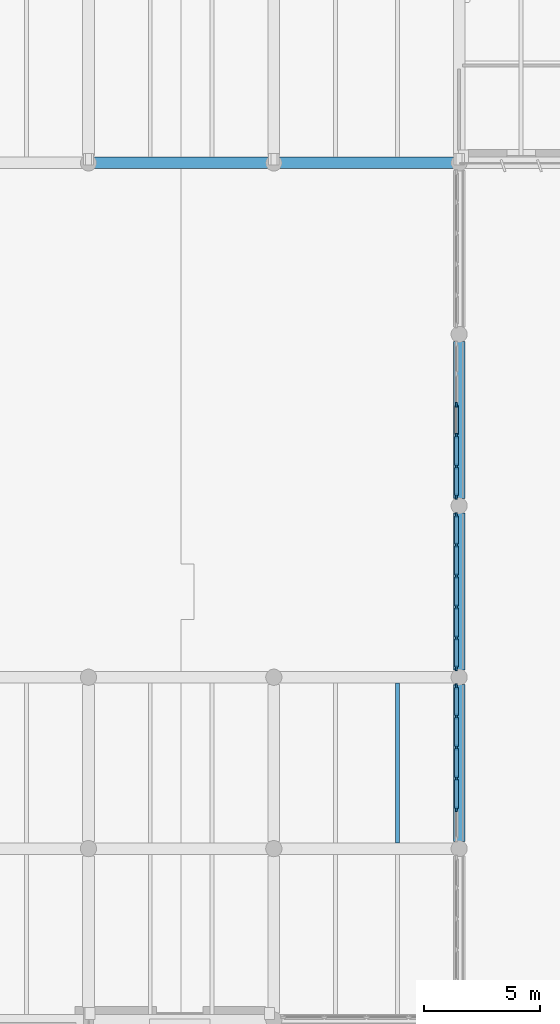
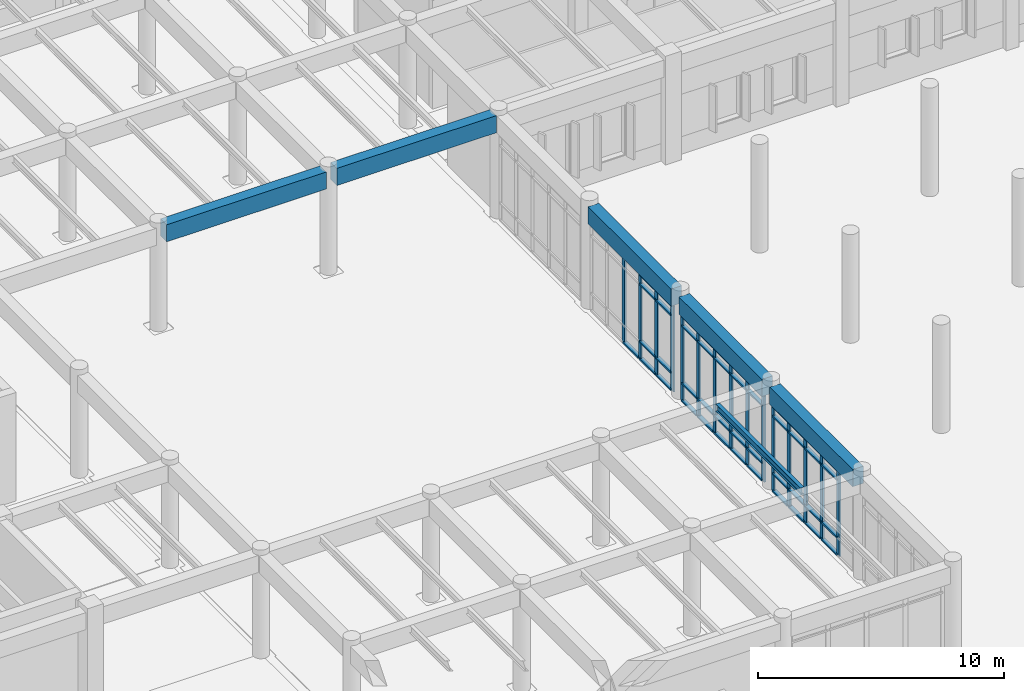
# One storey, part 5 of 56: 60 members, 6 beams, 3 elements without a shape of their own.
"""IFC4 building model written with IfcOpenShell, lengths in metres."""

from ifc_helpers import new_model, si_unit, direction, frame, origin, origin_2d, place, context, subcontext, project, spatial, rectangle, i_section, extrude, material, layer, layer_set, material_profile, profile_set, type_object, element, aggregate, save


model = new_model("IFC4")

# Units and contexts
model_context = context("Model", 3, precision=1e-05, world=origin(), true_north=direction((0.0, 1.0)))
body_context = subcontext(model_context, "Body", "Model", "MODEL_VIEW")
ifc_project = project(units=[si_unit("LENGTHUNIT", "METRE"), si_unit("AREAUNIT", "SQUARE_METRE"), si_unit("VOLUMEUNIT", "CUBIC_METRE"), si_unit("PLANEANGLEUNIT", "RADIAN"), si_unit("MASSUNIT", "GRAM", prefix="KILO")], contexts=[model_context])

# Site, building, storey
site_placement = place(None, origin())
site = spatial("IfcSite", under=ifc_project, at=site_placement, CompositionType="ELEMENT")
building_placement = place(site_placement, origin())
building = spatial("IfcBuilding", under=site, at=building_placement, Name="Valkorina Park Police Headquarters", CompositionType="ELEMENT")
storey_placement = place(building_placement, origin())
storey = spatial("IfcBuildingStorey", under=building, at=storey_placement, Name="L01", CompositionType="ELEMENT", Elevation=0.0)

# Beams
ifc_material_1 = material(Name="Concrete C40/50", Category="concrete")
ifc_material_profile_1 = material_profile(ifc_material_1, rectangle(XDim=0.5, YDim=0.85009765625, at=origin_2d()), Name="RC BEAM 500x850")
ifc_profile_set_1 = profile_set([ifc_material_profile_1], Name="Concrete C40/50")
beam_type_1 = type_object("IfcBeamType", Name="BM-RC-500x850-EXT", PredefinedType="SPANDREL", material=ifc_profile_set_1)
for number, where, z_axis, x_axis, name in (
    (1, (80.800048828125, 29.916259765625, 4.715087890625), (0.0, 1.0, 0.0), (-1.0, 0.0, 0.0), "L01 Framing Beam 1075"),
    (2, (80.800048828125, 37.316162109375, 4.715087890625), (0.0, 1.0, 0.0), (-1.0, 0.0, 0.0), "L01 Framing Beam 1076"),
    (3, (80.800048828125, 44.71630859375, 4.715087890625), (0.0, 1.0, 0.0), (-1.0, 0.0, 0.0), "L01 Framing Beam 1077"),
):
    element("IfcBeam", number, at=place(storey_placement, frame(where, z_axis=z_axis, x_axis=x_axis)), inside=storey, type_object=beam_type_1, Name=name, PredefinedType="SPANDREL", context=body_context, shape_type="SweptSolid", body=[
        extrude(rectangle(XDim=0.5, YDim=0.85009765625, at=origin_2d()), origin(), (0.0, 0.0, 1.0), 6.767578125),
    ])
ifc_material_profile_2 = material_profile(ifc_material_1, rectangle(XDim=0.5, YDim=0.85009765625, at=origin_2d()), Name="RC BEAM 500x850")
ifc_profile_set_2 = profile_set([ifc_material_profile_2], Name="Concrete C40/50")
beam_type_2 = type_object("IfcBeamType", Name="BM-RC-500x850-INT", PredefinedType="BEAM", material=ifc_profile_set_2)
for number, where, z_axis, x_axis, name in (
    (4, (65.044921875, 59.199951171875, 4.715087890625), (1.0, 0.0, 0.0), (0.0, 1.0, 0.0), "L01 Framing Beam 0770"),
    (5, (73.044921875, 59.199951171875, 4.715087890625), (1.0, 0.0, 0.0), (0.0, 1.0, 0.0), "L01 Framing Beam 0771"),
):
    element("IfcBeam", number, at=place(storey_placement, frame(where, z_axis=z_axis, x_axis=x_axis)), inside=storey, type_object=beam_type_2, Name=name, PredefinedType="BEAM", context=body_context, shape_type="SweptSolid", body=[
        extrude(rectangle(XDim=0.5, YDim=0.85009765625, at=origin_2d()), origin(), (0.0, 0.0, 1.0), 7.51025390625),
    ])
ifc_material_2 = material(Name="Steel S355", Category="steel")
ifc_material_profile_3 = material_profile(ifc_material_2, i_section(OverallWidth=0.169921875, OverallDepth=0.360107421875, WebThickness=0.008056640625, FlangeThickness=0.0126953125, FilletRadius=0.01806640625, at=origin_2d()), Name="IPE 360")
ifc_profile_set_3 = profile_set([ifc_material_profile_3], Name="Steel S355")
beam_type_3 = type_object("IfcBeamType", Name="BM-S355-IPE360-JST", PredefinedType="JOIST", material=ifc_profile_set_3)
beam_placement = place(storey_placement, frame((78.13330078125, 29.85009765625, 4.9599609375), z_axis=(0.0, 1.0, 0.0), x_axis=(-1.0, 0.0, 0.0)))
element("IfcBeam", 6, at=beam_placement, inside=storey, type_object=beam_type_3, Name="L01 Framing Beam 1064", PredefinedType="JOIST", context=body_context, shape_type="SweptSolid", body=[
    extrude(i_section(OverallWidth=0.169921875, OverallDepth=0.360107421875, WebThickness=0.008056640625, FlangeThickness=0.0126953125, FilletRadius=0.01806640625, at=origin_2d()), origin(), (0.0, 0.0, 1.0), 6.89990234375),
])

# Curtain wall, members
ifc_material_3 = material(Name="Thermally broken aluminium AW-6060", Category="aluminium")
ifc_layer = layer(ifc_material_3, 0.18994140625)
ifc_layer_set = layer_set([ifc_layer], Name="Thermally broken aluminium AW-6060")
curtain_wall_type = type_object("IfcCurtainWallType", Name="CW-V4-6680x4280", PredefinedType="NOTDEFINED", material=ifc_layer_set)
curtain_wall_1_placement = place(storey_placement, origin())
curtain_wall_1 = element("IfcCurtainWall", 7, at=curtain_wall_1_placement, inside=storey, type_object=curtain_wall_type, Name="L01 Unitised Curtain Wall 002", PredefinedType="NOTDEFINED")
ifc_material_profile_4 = material_profile(ifc_material_3, rectangle(XDim=0.080078125, YDim=0.219970703125, at=origin_2d()), Name="CWM-03 80x220")
ifc_profile_set_4 = profile_set([ifc_material_profile_4], Name="Thermally broken aluminium AW-6060")
member_type_1 = type_object("IfcMemberType", Name="CWM-80x220", PredefinedType="MULLION", material=ifc_profile_set_4)
member_1_placement = place(storey_placement, frame((80.679931640625, 48.76806640625, 0.0), z_axis=(0.0, 0.0, 1.0), x_axis=(1.0, 0.0, 0.0)))
member_1 = element("IfcMember", 8, at=member_1_placement, type_object=member_type_1, Name="CW-V4-668-428 mullion 3", PredefinedType="MULLION", context=body_context, shape_type="SweptSolid", body=[
    extrude(rectangle(XDim=0.080078125, YDim=0.219970703125, at=origin_2d()), origin(), (0.0, 0.0, 1.0), 4.280029296875),
])
member_2_placement = place(storey_placement, frame((80.679931640625, 47.431884765625, 0.0), z_axis=(0.0, 0.0, 1.0), x_axis=(1.0, 0.0, 0.0)))
member_2 = element("IfcMember", 9, at=member_2_placement, type_object=member_type_1, Name="CW-V4-668-428 mullion 4", PredefinedType="MULLION", context=body_context, shape_type="SweptSolid", body=[
    extrude(rectangle(XDim=0.080078125, YDim=0.219970703125, at=origin_2d()), origin(), (0.0, 0.0, 1.0), 4.280029296875),
])
member_3_placement = place(storey_placement, frame((80.679931640625, 46.095947265625, 0.0), z_axis=(0.0, 0.0, 1.0), x_axis=(1.0, 0.0, 0.0)))
member_3 = element("IfcMember", 10, at=member_3_placement, type_object=member_type_1, Name="CW-V4-668-428 mullion 5", PredefinedType="MULLION", context=body_context, shape_type="SweptSolid", body=[
    extrude(rectangle(XDim=0.080078125, YDim=0.219970703125, at=origin_2d()), origin(), (0.0, 0.0, 1.0), 4.280029296875),
])
member_4_placement = place(storey_placement, frame((80.679931640625, 44.800048828125, 0.0), z_axis=(0.0, 0.0, 1.0), x_axis=(1.0, 0.0, 0.0)))
member_4 = element("IfcMember", 11, at=member_4_placement, type_object=member_type_1, Name="CW-V4-668-428 mullion 6", PredefinedType="MULLION", context=body_context, shape_type="SweptSolid", body=[
    extrude(rectangle(XDim=0.080078125, YDim=0.219970703125, at=origin_2d()), origin(), (0.0, 0.0, 1.0), 4.280029296875),
])

curtain_wall_2_placement = place(storey_placement, origin())
curtain_wall_2 = element("IfcCurtainWall", 12, at=curtain_wall_2_placement, inside=storey, type_object=curtain_wall_type, Name="L01 Unitised Curtain Wall 003", PredefinedType="NOTDEFINED")
member_5_placement = place(storey_placement, frame((80.679931640625, 44.0, 0.0), z_axis=(0.0, 0.0, 1.0), x_axis=(1.0, 0.0, 0.0)))
member_5 = element("IfcMember", 13, at=member_5_placement, type_object=member_type_1, Name="CW-V4-668-428 mullion 1", PredefinedType="MULLION", context=body_context, shape_type="SweptSolid", body=[
    extrude(rectangle(XDim=0.080078125, YDim=0.219970703125, at=origin_2d()), origin(), (0.0, 0.0, 1.0), 4.280029296875),
])
member_6_placement = place(storey_placement, frame((80.679931640625, 42.7041015625, 0.0), z_axis=(0.0, 0.0, 1.0), x_axis=(1.0, 0.0, 0.0)))
member_6 = element("IfcMember", 14, at=member_6_placement, type_object=member_type_1, Name="CW-V4-668-428 mullion 2", PredefinedType="MULLION", context=body_context, shape_type="SweptSolid", body=[
    extrude(rectangle(XDim=0.080078125, YDim=0.219970703125, at=origin_2d()), origin(), (0.0, 0.0, 1.0), 4.280029296875),
])
member_7_placement = place(storey_placement, frame((80.679931640625, 41.367919921875, 0.0), z_axis=(0.0, 0.0, 1.0), x_axis=(1.0, 0.0, 0.0)))
member_7 = element("IfcMember", 15, at=member_7_placement, type_object=member_type_1, Name="CW-V4-668-428 mullion 3", PredefinedType="MULLION", context=body_context, shape_type="SweptSolid", body=[
    extrude(rectangle(XDim=0.080078125, YDim=0.219970703125, at=origin_2d()), origin(), (0.0, 0.0, 1.0), 4.280029296875),
])
member_8_placement = place(storey_placement, frame((80.679931640625, 40.031982421875, 0.0), z_axis=(0.0, 0.0, 1.0), x_axis=(1.0, 0.0, 0.0)))
member_8 = element("IfcMember", 16, at=member_8_placement, type_object=member_type_1, Name="CW-V4-668-428 mullion 4", PredefinedType="MULLION", context=body_context, shape_type="SweptSolid", body=[
    extrude(rectangle(XDim=0.080078125, YDim=0.219970703125, at=origin_2d()), origin(), (0.0, 0.0, 1.0), 4.280029296875),
])
member_9_placement = place(storey_placement, frame((80.679931640625, 38.696044921875, 0.0), z_axis=(0.0, 0.0, 1.0), x_axis=(1.0, 0.0, 0.0)))
member_9 = element("IfcMember", 17, at=member_9_placement, type_object=member_type_1, Name="CW-V4-668-428 mullion 5", PredefinedType="MULLION", context=body_context, shape_type="SweptSolid", body=[
    extrude(rectangle(XDim=0.080078125, YDim=0.219970703125, at=origin_2d()), origin(), (0.0, 0.0, 1.0), 4.280029296875),
])
member_10_placement = place(storey_placement, frame((80.679931640625, 37.39990234375, 0.0), z_axis=(0.0, 0.0, 1.0), x_axis=(1.0, 0.0, 0.0)))
member_10 = element("IfcMember", 18, at=member_10_placement, type_object=member_type_1, Name="CW-V4-668-428 mullion 6", PredefinedType="MULLION", context=body_context, shape_type="SweptSolid", body=[
    extrude(rectangle(XDim=0.080078125, YDim=0.219970703125, at=origin_2d()), origin(), (0.0, 0.0, 1.0), 4.280029296875),
])

curtain_wall_3_placement = place(storey_placement, origin())
curtain_wall_3 = element("IfcCurtainWall", 19, at=curtain_wall_3_placement, inside=storey, type_object=curtain_wall_type, Name="L01 Unitised Curtain Wall 004", PredefinedType="NOTDEFINED")
member_11_placement = place(storey_placement, frame((80.679931640625, 36.60009765625, 0.0), z_axis=(0.0, 0.0, 1.0), x_axis=(1.0, 0.0, 0.0)))
member_11 = element("IfcMember", 20, at=member_11_placement, type_object=member_type_1, Name="CW-V4-668-428 mullion 1", PredefinedType="MULLION", context=body_context, shape_type="SweptSolid", body=[
    extrude(rectangle(XDim=0.080078125, YDim=0.219970703125, at=origin_2d()), origin(), (0.0, 0.0, 1.0), 4.280029296875),
])
member_12_placement = place(storey_placement, frame((80.679931640625, 35.303955078125, 0.0), z_axis=(0.0, 0.0, 1.0), x_axis=(1.0, 0.0, 0.0)))
member_12 = element("IfcMember", 21, at=member_12_placement, type_object=member_type_1, Name="CW-V4-668-428 mullion 2", PredefinedType="MULLION", context=body_context, shape_type="SweptSolid", body=[
    extrude(rectangle(XDim=0.080078125, YDim=0.219970703125, at=origin_2d()), origin(), (0.0, 0.0, 1.0), 4.280029296875),
])
member_13_placement = place(storey_placement, frame((80.679931640625, 33.968017578125, 0.0), z_axis=(0.0, 0.0, 1.0), x_axis=(1.0, 0.0, 0.0)))
member_13 = element("IfcMember", 22, at=member_13_placement, type_object=member_type_1, Name="CW-V4-668-428 mullion 3", PredefinedType="MULLION", context=body_context, shape_type="SweptSolid", body=[
    extrude(rectangle(XDim=0.080078125, YDim=0.219970703125, at=origin_2d()), origin(), (0.0, 0.0, 1.0), 4.280029296875),
])
member_14_placement = place(storey_placement, frame((80.679931640625, 32.632080078125, 0.0), z_axis=(0.0, 0.0, 1.0), x_axis=(1.0, 0.0, 0.0)))
member_14 = element("IfcMember", 23, at=member_14_placement, type_object=member_type_1, Name="CW-V4-668-428 mullion 4", PredefinedType="MULLION", context=body_context, shape_type="SweptSolid", body=[
    extrude(rectangle(XDim=0.080078125, YDim=0.219970703125, at=origin_2d()), origin(), (0.0, 0.0, 1.0), 4.280029296875),
])
member_15_placement = place(storey_placement, frame((80.679931640625, 31.2958984375, 0.0), z_axis=(0.0, 0.0, 1.0), x_axis=(1.0, 0.0, 0.0)))
member_15 = element("IfcMember", 24, at=member_15_placement, type_object=member_type_1, Name="CW-V4-668-428 mullion 5", PredefinedType="MULLION", context=body_context, shape_type="SweptSolid", body=[
    extrude(rectangle(XDim=0.080078125, YDim=0.219970703125, at=origin_2d()), origin(), (0.0, 0.0, 1.0), 4.280029296875),
])

# Member
ifc_material_profile_5 = material_profile(ifc_material_3, rectangle(XDim=0.179931640625, YDim=0.080078125, at=origin_2d()), Name="CWT-03 180x80")
ifc_profile_set_5 = profile_set([ifc_material_profile_5], Name="Thermally broken aluminium AW-6060")
member_type_2 = type_object("IfcMemberType", Name="CWT-180x80", PredefinedType="USERDEFINED", material=ifc_profile_set_5)
member_16_placement = place(storey_placement, frame((80.679931640625, 48.72802734375, 0.0400390625), z_axis=(0.0, -1.0, 0.0), x_axis=(1.0, 0.0, 0.0)))
member_16 = element("IfcMember", 25, at=member_16_placement, type_object=member_type_2, Name="CW-V4-668-428 transom 3.1", ObjectType="TRANSOM", PredefinedType="USERDEFINED", context=body_context, shape_type="SweptSolid", body=[
    extrude(rectangle(XDim=0.179931640625, YDim=0.080078125, at=origin_2d()), origin(), (0.0, 0.0, 1.0), 1.256103515625),
])

member_17_placement = place(storey_placement, frame((80.679931640625, 47.39208984375, 0.0400390625), z_axis=(0.0, -1.0, 0.0), x_axis=(1.0, 0.0, 0.0)))
member_17 = element("IfcMember", 26, at=member_17_placement, type_object=member_type_2, Name="CW-V4-668-428 transom 4.1", ObjectType="TRANSOM", PredefinedType="USERDEFINED", context=body_context, shape_type="SweptSolid", body=[
    extrude(rectangle(XDim=0.179931640625, YDim=0.080078125, at=origin_2d()), origin(), (0.0, 0.0, 1.0), 1.256103515625),
])

member_18_placement = place(storey_placement, frame((80.679931640625, 47.39208984375, 0.89990234375), z_axis=(0.0, -1.0, 0.0), x_axis=(1.0, 0.0, 0.0)))
member_18 = element("IfcMember", 27, at=member_18_placement, type_object=member_type_2, Name="CW-V4-668-428 transom 4.2", ObjectType="TRANSOM", PredefinedType="USERDEFINED", context=body_context, shape_type="SweptSolid", body=[
    extrude(rectangle(XDim=0.179931640625, YDim=0.080078125, at=origin_2d()), origin(), (0.0, 0.0, 1.0), 1.256103515625),
])

member_19_placement = place(storey_placement, frame((80.679931640625, 47.39208984375, 3.760009765625), z_axis=(0.0, -1.0, 0.0), x_axis=(1.0, 0.0, 0.0)))
member_19 = element("IfcMember", 28, at=member_19_placement, type_object=member_type_2, Name="CW-V4-668-428 transom 4.3", ObjectType="TRANSOM", PredefinedType="USERDEFINED", context=body_context, shape_type="SweptSolid", body=[
    extrude(rectangle(XDim=0.179931640625, YDim=0.080078125, at=origin_2d()), origin(), (0.0, 0.0, 1.0), 1.256103515625),
])

member_20_placement = place(storey_placement, frame((80.679931640625, 47.39208984375, 4.239990234375), z_axis=(0.0, -1.0, 0.0), x_axis=(1.0, 0.0, 0.0)))
member_20 = element("IfcMember", 29, at=member_20_placement, type_object=member_type_2, Name="CW-V4-668-428 transom 4.4", ObjectType="TRANSOM", PredefinedType="USERDEFINED", context=body_context, shape_type="SweptSolid", body=[
    extrude(rectangle(XDim=0.179931640625, YDim=0.080078125, at=origin_2d()), origin(), (0.0, 0.0, 1.0), 1.256103515625),
])

member_21_placement = place(storey_placement, frame((80.679931640625, 46.055908203125, 0.0400390625), z_axis=(0.0, -1.0, 0.0), x_axis=(1.0, 0.0, 0.0)))
member_21 = element("IfcMember", 30, at=member_21_placement, type_object=member_type_2, Name="CW-V4-668-428 transom 5.1", ObjectType="TRANSOM", PredefinedType="USERDEFINED", context=body_context, shape_type="SweptSolid", body=[
    extrude(rectangle(XDim=0.179931640625, YDim=0.080078125, at=origin_2d()), origin(), (0.0, 0.0, 1.0), 1.2158203125),
])

member_22_placement = place(storey_placement, frame((80.679931640625, 46.055908203125, 0.89990234375), z_axis=(0.0, -1.0, 0.0), x_axis=(1.0, 0.0, 0.0)))
member_22 = element("IfcMember", 31, at=member_22_placement, type_object=member_type_2, Name="CW-V4-668-428 transom 5.2", ObjectType="TRANSOM", PredefinedType="USERDEFINED", context=body_context, shape_type="SweptSolid", body=[
    extrude(rectangle(XDim=0.179931640625, YDim=0.080078125, at=origin_2d()), origin(), (0.0, 0.0, 1.0), 1.2158203125),
])

member_23_placement = place(storey_placement, frame((80.679931640625, 46.055908203125, 3.760009765625), z_axis=(0.0, -1.0, 0.0), x_axis=(1.0, 0.0, 0.0)))
member_23 = element("IfcMember", 32, at=member_23_placement, type_object=member_type_2, Name="CW-V4-668-428 transom 5.3", ObjectType="TRANSOM", PredefinedType="USERDEFINED", context=body_context, shape_type="SweptSolid", body=[
    extrude(rectangle(XDim=0.179931640625, YDim=0.080078125, at=origin_2d()), origin(), (0.0, 0.0, 1.0), 1.2158203125),
])

member_24_placement = place(storey_placement, frame((80.679931640625, 46.055908203125, 4.239990234375), z_axis=(0.0, -1.0, 0.0), x_axis=(1.0, 0.0, 0.0)))
member_24 = element("IfcMember", 33, at=member_24_placement, type_object=member_type_2, Name="CW-V4-668-428 transom 5.4", ObjectType="TRANSOM", PredefinedType="USERDEFINED", context=body_context, shape_type="SweptSolid", body=[
    extrude(rectangle(XDim=0.179931640625, YDim=0.080078125, at=origin_2d()), origin(), (0.0, 0.0, 1.0), 1.2158203125),
])

aggregate(curtain_wall_1, [member_1, member_2, member_3, member_4, member_16, member_17, member_18, member_19, member_20, member_21, member_22, member_23, member_24])

member_25_placement = place(storey_placement, frame((80.679931640625, 43.9599609375, 0.0400390625), z_axis=(0.0, -1.0, 0.0), x_axis=(1.0, 0.0, 0.0)))
member_25 = element("IfcMember", 34, at=member_25_placement, type_object=member_type_2, Name="CW-V4-668-428 transom 1.1", ObjectType="TRANSOM", PredefinedType="USERDEFINED", context=body_context, shape_type="SweptSolid", body=[
    extrude(rectangle(XDim=0.179931640625, YDim=0.080078125, at=origin_2d()), origin(), (0.0, 0.0, 1.0), 1.216064453125),
])

member_26_placement = place(storey_placement, frame((80.679931640625, 43.9599609375, 0.89990234375), z_axis=(0.0, -1.0, 0.0), x_axis=(1.0, 0.0, 0.0)))
member_26 = element("IfcMember", 35, at=member_26_placement, type_object=member_type_2, Name="CW-V4-668-428 transom 1.2", ObjectType="TRANSOM", PredefinedType="USERDEFINED", context=body_context, shape_type="SweptSolid", body=[
    extrude(rectangle(XDim=0.179931640625, YDim=0.080078125, at=origin_2d()), origin(), (0.0, 0.0, 1.0), 1.216064453125),
])

member_27_placement = place(storey_placement, frame((80.679931640625, 43.9599609375, 3.760009765625), z_axis=(0.0, -1.0, 0.0), x_axis=(1.0, 0.0, 0.0)))
member_27 = element("IfcMember", 36, at=member_27_placement, type_object=member_type_2, Name="CW-V4-668-428 transom 1.3", ObjectType="TRANSOM", PredefinedType="USERDEFINED", context=body_context, shape_type="SweptSolid", body=[
    extrude(rectangle(XDim=0.179931640625, YDim=0.080078125, at=origin_2d()), origin(), (0.0, 0.0, 1.0), 1.216064453125),
])

member_28_placement = place(storey_placement, frame((80.679931640625, 43.9599609375, 4.239990234375), z_axis=(0.0, -1.0, 0.0), x_axis=(1.0, 0.0, 0.0)))
member_28 = element("IfcMember", 37, at=member_28_placement, type_object=member_type_2, Name="CW-V4-668-428 transom 1.4", ObjectType="TRANSOM", PredefinedType="USERDEFINED", context=body_context, shape_type="SweptSolid", body=[
    extrude(rectangle(XDim=0.179931640625, YDim=0.080078125, at=origin_2d()), origin(), (0.0, 0.0, 1.0), 1.216064453125),
])

member_29_placement = place(storey_placement, frame((80.679931640625, 42.6640625, 0.0400390625), z_axis=(0.0, -1.0, 0.0), x_axis=(1.0, 0.0, 0.0)))
member_29 = element("IfcMember", 38, at=member_29_placement, type_object=member_type_2, Name="CW-V4-668-428 transom 2.1", ObjectType="TRANSOM", PredefinedType="USERDEFINED", context=body_context, shape_type="SweptSolid", body=[
    extrude(rectangle(XDim=0.179931640625, YDim=0.080078125, at=origin_2d()), origin(), (0.0, 0.0, 1.0), 1.256103515625),
])

member_30_placement = place(storey_placement, frame((80.679931640625, 42.6640625, 0.89990234375), z_axis=(0.0, -1.0, 0.0), x_axis=(1.0, 0.0, 0.0)))
member_30 = element("IfcMember", 39, at=member_30_placement, type_object=member_type_2, Name="CW-V4-668-428 transom 2.2", ObjectType="TRANSOM", PredefinedType="USERDEFINED", context=body_context, shape_type="SweptSolid", body=[
    extrude(rectangle(XDim=0.179931640625, YDim=0.080078125, at=origin_2d()), origin(), (0.0, 0.0, 1.0), 1.256103515625),
])

member_31_placement = place(storey_placement, frame((80.679931640625, 42.6640625, 3.760009765625), z_axis=(0.0, -1.0, 0.0), x_axis=(1.0, 0.0, 0.0)))
member_31 = element("IfcMember", 40, at=member_31_placement, type_object=member_type_2, Name="CW-V4-668-428 transom 2.3", ObjectType="TRANSOM", PredefinedType="USERDEFINED", context=body_context, shape_type="SweptSolid", body=[
    extrude(rectangle(XDim=0.179931640625, YDim=0.080078125, at=origin_2d()), origin(), (0.0, 0.0, 1.0), 1.256103515625),
])

member_32_placement = place(storey_placement, frame((80.679931640625, 42.6640625, 4.239990234375), z_axis=(0.0, -1.0, 0.0), x_axis=(1.0, 0.0, 0.0)))
member_32 = element("IfcMember", 41, at=member_32_placement, type_object=member_type_2, Name="CW-V4-668-428 transom 2.4", ObjectType="TRANSOM", PredefinedType="USERDEFINED", context=body_context, shape_type="SweptSolid", body=[
    extrude(rectangle(XDim=0.179931640625, YDim=0.080078125, at=origin_2d()), origin(), (0.0, 0.0, 1.0), 1.256103515625),
])

member_33_placement = place(storey_placement, frame((80.679931640625, 41.327880859375, 0.0400390625), z_axis=(0.0, -1.0, 0.0), x_axis=(1.0, 0.0, 0.0)))
member_33 = element("IfcMember", 42, at=member_33_placement, type_object=member_type_2, Name="CW-V4-668-428 transom 3.1", ObjectType="TRANSOM", PredefinedType="USERDEFINED", context=body_context, shape_type="SweptSolid", body=[
    extrude(rectangle(XDim=0.179931640625, YDim=0.080078125, at=origin_2d()), origin(), (0.0, 0.0, 1.0), 1.255859375),
])

member_34_placement = place(storey_placement, frame((80.679931640625, 41.327880859375, 0.89990234375), z_axis=(0.0, -1.0, 0.0), x_axis=(1.0, 0.0, 0.0)))
member_34 = element("IfcMember", 43, at=member_34_placement, type_object=member_type_2, Name="CW-V4-668-428 transom 3.2", ObjectType="TRANSOM", PredefinedType="USERDEFINED", context=body_context, shape_type="SweptSolid", body=[
    extrude(rectangle(XDim=0.179931640625, YDim=0.080078125, at=origin_2d()), origin(), (0.0, 0.0, 1.0), 1.255859375),
])

member_35_placement = place(storey_placement, frame((80.679931640625, 41.327880859375, 3.760009765625), z_axis=(0.0, -1.0, 0.0), x_axis=(1.0, 0.0, 0.0)))
member_35 = element("IfcMember", 44, at=member_35_placement, type_object=member_type_2, Name="CW-V4-668-428 transom 3.3", ObjectType="TRANSOM", PredefinedType="USERDEFINED", context=body_context, shape_type="SweptSolid", body=[
    extrude(rectangle(XDim=0.179931640625, YDim=0.080078125, at=origin_2d()), origin(), (0.0, 0.0, 1.0), 1.255859375),
])

member_36_placement = place(storey_placement, frame((80.679931640625, 41.327880859375, 4.239990234375), z_axis=(0.0, -1.0, 0.0), x_axis=(1.0, 0.0, 0.0)))
member_36 = element("IfcMember", 45, at=member_36_placement, type_object=member_type_2, Name="CW-V4-668-428 transom 3.4", ObjectType="TRANSOM", PredefinedType="USERDEFINED", context=body_context, shape_type="SweptSolid", body=[
    extrude(rectangle(XDim=0.179931640625, YDim=0.080078125, at=origin_2d()), origin(), (0.0, 0.0, 1.0), 1.255859375),
])

member_37_placement = place(storey_placement, frame((80.679931640625, 39.991943359375, 0.0400390625), z_axis=(0.0, -1.0, 0.0), x_axis=(1.0, 0.0, 0.0)))
member_37 = element("IfcMember", 46, at=member_37_placement, type_object=member_type_2, Name="CW-V4-668-428 transom 4.1", ObjectType="TRANSOM", PredefinedType="USERDEFINED", context=body_context, shape_type="SweptSolid", body=[
    extrude(rectangle(XDim=0.179931640625, YDim=0.080078125, at=origin_2d()), origin(), (0.0, 0.0, 1.0), 1.255859375),
])

member_38_placement = place(storey_placement, frame((80.679931640625, 39.991943359375, 0.89990234375), z_axis=(0.0, -1.0, 0.0), x_axis=(1.0, 0.0, 0.0)))
member_38 = element("IfcMember", 47, at=member_38_placement, type_object=member_type_2, Name="CW-V4-668-428 transom 4.2", ObjectType="TRANSOM", PredefinedType="USERDEFINED", context=body_context, shape_type="SweptSolid", body=[
    extrude(rectangle(XDim=0.179931640625, YDim=0.080078125, at=origin_2d()), origin(), (0.0, 0.0, 1.0), 1.255859375),
])

member_39_placement = place(storey_placement, frame((80.679931640625, 39.991943359375, 3.760009765625), z_axis=(0.0, -1.0, 0.0), x_axis=(1.0, 0.0, 0.0)))
member_39 = element("IfcMember", 48, at=member_39_placement, type_object=member_type_2, Name="CW-V4-668-428 transom 4.3", ObjectType="TRANSOM", PredefinedType="USERDEFINED", context=body_context, shape_type="SweptSolid", body=[
    extrude(rectangle(XDim=0.179931640625, YDim=0.080078125, at=origin_2d()), origin(), (0.0, 0.0, 1.0), 1.255859375),
])

member_40_placement = place(storey_placement, frame((80.679931640625, 39.991943359375, 4.239990234375), z_axis=(0.0, -1.0, 0.0), x_axis=(1.0, 0.0, 0.0)))
member_40 = element("IfcMember", 49, at=member_40_placement, type_object=member_type_2, Name="CW-V4-668-428 transom 4.4", ObjectType="TRANSOM", PredefinedType="USERDEFINED", context=body_context, shape_type="SweptSolid", body=[
    extrude(rectangle(XDim=0.179931640625, YDim=0.080078125, at=origin_2d()), origin(), (0.0, 0.0, 1.0), 1.255859375),
])

member_41_placement = place(storey_placement, frame((80.679931640625, 38.656005859375, 0.0400390625), z_axis=(0.0, -1.0, 0.0), x_axis=(1.0, 0.0, 0.0)))
member_41 = element("IfcMember", 50, at=member_41_placement, type_object=member_type_2, Name="CW-V4-668-428 transom 5.1", ObjectType="TRANSOM", PredefinedType="USERDEFINED", context=body_context, shape_type="SweptSolid", body=[
    extrude(rectangle(XDim=0.179931640625, YDim=0.080078125, at=origin_2d()), origin(), (0.0, 0.0, 1.0), 1.216064453125),
])

member_42_placement = place(storey_placement, frame((80.679931640625, 38.656005859375, 0.89990234375), z_axis=(0.0, -1.0, 0.0), x_axis=(1.0, 0.0, 0.0)))
member_42 = element("IfcMember", 51, at=member_42_placement, type_object=member_type_2, Name="CW-V4-668-428 transom 5.2", ObjectType="TRANSOM", PredefinedType="USERDEFINED", context=body_context, shape_type="SweptSolid", body=[
    extrude(rectangle(XDim=0.179931640625, YDim=0.080078125, at=origin_2d()), origin(), (0.0, 0.0, 1.0), 1.216064453125),
])

member_43_placement = place(storey_placement, frame((80.679931640625, 38.656005859375, 3.760009765625), z_axis=(0.0, -1.0, 0.0), x_axis=(1.0, 0.0, 0.0)))
member_43 = element("IfcMember", 52, at=member_43_placement, type_object=member_type_2, Name="CW-V4-668-428 transom 5.3", ObjectType="TRANSOM", PredefinedType="USERDEFINED", context=body_context, shape_type="SweptSolid", body=[
    extrude(rectangle(XDim=0.179931640625, YDim=0.080078125, at=origin_2d()), origin(), (0.0, 0.0, 1.0), 1.216064453125),
])

member_44_placement = place(storey_placement, frame((80.679931640625, 38.656005859375, 4.239990234375), z_axis=(0.0, -1.0, 0.0), x_axis=(1.0, 0.0, 0.0)))
member_44 = element("IfcMember", 53, at=member_44_placement, type_object=member_type_2, Name="CW-V4-668-428 transom 5.4", ObjectType="TRANSOM", PredefinedType="USERDEFINED", context=body_context, shape_type="SweptSolid", body=[
    extrude(rectangle(XDim=0.179931640625, YDim=0.080078125, at=origin_2d()), origin(), (0.0, 0.0, 1.0), 1.216064453125),
])

aggregate(curtain_wall_2, [member_5, member_6, member_7, member_8, member_9, member_10, member_25, member_26, member_27, member_28, member_29, member_30, member_31, member_32, member_33, member_34, member_35, member_36, member_37, member_38, member_39, member_40, member_41, member_42, member_43, member_44])

member_45_placement = place(storey_placement, frame((80.679931640625, 36.56005859375, 0.0400390625), z_axis=(0.0, -1.0, 0.0), x_axis=(1.0, 0.0, 0.0)))
member_45 = element("IfcMember", 54, at=member_45_placement, type_object=member_type_2, Name="CW-V4-668-428 transom 1.1", ObjectType="TRANSOM", PredefinedType="USERDEFINED", context=body_context, shape_type="SweptSolid", body=[
    extrude(rectangle(XDim=0.179931640625, YDim=0.080078125, at=origin_2d()), origin(), (0.0, 0.0, 1.0), 1.216064453125),
])

member_46_placement = place(storey_placement, frame((80.679931640625, 36.56005859375, 0.89990234375), z_axis=(0.0, -1.0, 0.0), x_axis=(1.0, 0.0, 0.0)))
member_46 = element("IfcMember", 55, at=member_46_placement, type_object=member_type_2, Name="CW-V4-668-428 transom 1.2", ObjectType="TRANSOM", PredefinedType="USERDEFINED", context=body_context, shape_type="SweptSolid", body=[
    extrude(rectangle(XDim=0.179931640625, YDim=0.080078125, at=origin_2d()), origin(), (0.0, 0.0, 1.0), 1.216064453125),
])

member_47_placement = place(storey_placement, frame((80.679931640625, 36.56005859375, 3.760009765625), z_axis=(0.0, -1.0, 0.0), x_axis=(1.0, 0.0, 0.0)))
member_47 = element("IfcMember", 56, at=member_47_placement, type_object=member_type_2, Name="CW-V4-668-428 transom 1.3", ObjectType="TRANSOM", PredefinedType="USERDEFINED", context=body_context, shape_type="SweptSolid", body=[
    extrude(rectangle(XDim=0.179931640625, YDim=0.080078125, at=origin_2d()), origin(), (0.0, 0.0, 1.0), 1.216064453125),
])

member_48_placement = place(storey_placement, frame((80.679931640625, 36.56005859375, 4.239990234375), z_axis=(0.0, -1.0, 0.0), x_axis=(1.0, 0.0, 0.0)))
member_48 = element("IfcMember", 57, at=member_48_placement, type_object=member_type_2, Name="CW-V4-668-428 transom 1.4", ObjectType="TRANSOM", PredefinedType="USERDEFINED", context=body_context, shape_type="SweptSolid", body=[
    extrude(rectangle(XDim=0.179931640625, YDim=0.080078125, at=origin_2d()), origin(), (0.0, 0.0, 1.0), 1.216064453125),
])

member_49_placement = place(storey_placement, frame((80.679931640625, 35.263916015625, 0.0400390625), z_axis=(0.0, -1.0, 0.0), x_axis=(1.0, 0.0, 0.0)))
member_49 = element("IfcMember", 58, at=member_49_placement, type_object=member_type_2, Name="CW-V4-668-428 transom 2.1", ObjectType="TRANSOM", PredefinedType="USERDEFINED", context=body_context, shape_type="SweptSolid", body=[
    extrude(rectangle(XDim=0.179931640625, YDim=0.080078125, at=origin_2d()), origin(), (0.0, 0.0, 1.0), 1.255859375),
])

member_50_placement = place(storey_placement, frame((80.679931640625, 35.263916015625, 0.89990234375), z_axis=(0.0, -1.0, 0.0), x_axis=(1.0, 0.0, 0.0)))
member_50 = element("IfcMember", 59, at=member_50_placement, type_object=member_type_2, Name="CW-V4-668-428 transom 2.2", ObjectType="TRANSOM", PredefinedType="USERDEFINED", context=body_context, shape_type="SweptSolid", body=[
    extrude(rectangle(XDim=0.179931640625, YDim=0.080078125, at=origin_2d()), origin(), (0.0, 0.0, 1.0), 1.255859375),
])

member_51_placement = place(storey_placement, frame((80.679931640625, 35.263916015625, 3.760009765625), z_axis=(0.0, -1.0, 0.0), x_axis=(1.0, 0.0, 0.0)))
member_51 = element("IfcMember", 60, at=member_51_placement, type_object=member_type_2, Name="CW-V4-668-428 transom 2.3", ObjectType="TRANSOM", PredefinedType="USERDEFINED", context=body_context, shape_type="SweptSolid", body=[
    extrude(rectangle(XDim=0.179931640625, YDim=0.080078125, at=origin_2d()), origin(), (0.0, 0.0, 1.0), 1.255859375),
])

member_52_placement = place(storey_placement, frame((80.679931640625, 35.263916015625, 4.239990234375), z_axis=(0.0, -1.0, 0.0), x_axis=(1.0, 0.0, 0.0)))
member_52 = element("IfcMember", 61, at=member_52_placement, type_object=member_type_2, Name="CW-V4-668-428 transom 2.4", ObjectType="TRANSOM", PredefinedType="USERDEFINED", context=body_context, shape_type="SweptSolid", body=[
    extrude(rectangle(XDim=0.179931640625, YDim=0.080078125, at=origin_2d()), origin(), (0.0, 0.0, 1.0), 1.255859375),
])

member_53_placement = place(storey_placement, frame((80.679931640625, 33.927978515625, 0.0400390625), z_axis=(0.0, -1.0, 0.0), x_axis=(1.0, 0.0, 0.0)))
member_53 = element("IfcMember", 62, at=member_53_placement, type_object=member_type_2, Name="CW-V4-668-428 transom 3.1", ObjectType="TRANSOM", PredefinedType="USERDEFINED", context=body_context, shape_type="SweptSolid", body=[
    extrude(rectangle(XDim=0.179931640625, YDim=0.080078125, at=origin_2d()), origin(), (0.0, 0.0, 1.0), 1.255859375),
])

member_54_placement = place(storey_placement, frame((80.679931640625, 33.927978515625, 0.89990234375), z_axis=(0.0, -1.0, 0.0), x_axis=(1.0, 0.0, 0.0)))
member_54 = element("IfcMember", 63, at=member_54_placement, type_object=member_type_2, Name="CW-V4-668-428 transom 3.2", ObjectType="TRANSOM", PredefinedType="USERDEFINED", context=body_context, shape_type="SweptSolid", body=[
    extrude(rectangle(XDim=0.179931640625, YDim=0.080078125, at=origin_2d()), origin(), (0.0, 0.0, 1.0), 1.255859375),
])

member_55_placement = place(storey_placement, frame((80.679931640625, 33.927978515625, 3.760009765625), z_axis=(0.0, -1.0, 0.0), x_axis=(1.0, 0.0, 0.0)))
member_55 = element("IfcMember", 64, at=member_55_placement, type_object=member_type_2, Name="CW-V4-668-428 transom 3.3", ObjectType="TRANSOM", PredefinedType="USERDEFINED", context=body_context, shape_type="SweptSolid", body=[
    extrude(rectangle(XDim=0.179931640625, YDim=0.080078125, at=origin_2d()), origin(), (0.0, 0.0, 1.0), 1.255859375),
])

member_56_placement = place(storey_placement, frame((80.679931640625, 33.927978515625, 4.239990234375), z_axis=(0.0, -1.0, 0.0), x_axis=(1.0, 0.0, 0.0)))
member_56 = element("IfcMember", 65, at=member_56_placement, type_object=member_type_2, Name="CW-V4-668-428 transom 3.4", ObjectType="TRANSOM", PredefinedType="USERDEFINED", context=body_context, shape_type="SweptSolid", body=[
    extrude(rectangle(XDim=0.179931640625, YDim=0.080078125, at=origin_2d()), origin(), (0.0, 0.0, 1.0), 1.255859375),
])

member_57_placement = place(storey_placement, frame((80.679931640625, 32.592041015625, 0.0400390625), z_axis=(0.0, -1.0, 0.0), x_axis=(1.0, 0.0, 0.0)))
member_57 = element("IfcMember", 66, at=member_57_placement, type_object=member_type_2, Name="CW-V4-668-428 transom 4.1", ObjectType="TRANSOM", PredefinedType="USERDEFINED", context=body_context, shape_type="SweptSolid", body=[
    extrude(rectangle(XDim=0.179931640625, YDim=0.080078125, at=origin_2d()), origin(), (0.0, 0.0, 1.0), 1.256103515625),
])

member_58_placement = place(storey_placement, frame((80.679931640625, 32.592041015625, 0.89990234375), z_axis=(0.0, -1.0, 0.0), x_axis=(1.0, 0.0, 0.0)))
member_58 = element("IfcMember", 67, at=member_58_placement, type_object=member_type_2, Name="CW-V4-668-428 transom 4.2", ObjectType="TRANSOM", PredefinedType="USERDEFINED", context=body_context, shape_type="SweptSolid", body=[
    extrude(rectangle(XDim=0.179931640625, YDim=0.080078125, at=origin_2d()), origin(), (0.0, 0.0, 1.0), 1.256103515625),
])

member_59_placement = place(storey_placement, frame((80.679931640625, 32.592041015625, 3.760009765625), z_axis=(0.0, -1.0, 0.0), x_axis=(1.0, 0.0, 0.0)))
member_59 = element("IfcMember", 68, at=member_59_placement, type_object=member_type_2, Name="CW-V4-668-428 transom 4.3", ObjectType="TRANSOM", PredefinedType="USERDEFINED", context=body_context, shape_type="SweptSolid", body=[
    extrude(rectangle(XDim=0.179931640625, YDim=0.080078125, at=origin_2d()), origin(), (0.0, 0.0, 1.0), 1.256103515625),
])

member_60_placement = place(storey_placement, frame((80.679931640625, 32.592041015625, 4.239990234375), z_axis=(0.0, -1.0, 0.0), x_axis=(1.0, 0.0, 0.0)))
member_60 = element("IfcMember", 69, at=member_60_placement, type_object=member_type_2, Name="CW-V4-668-428 transom 4.4", ObjectType="TRANSOM", PredefinedType="USERDEFINED", context=body_context, shape_type="SweptSolid", body=[
    extrude(rectangle(XDim=0.179931640625, YDim=0.080078125, at=origin_2d()), origin(), (0.0, 0.0, 1.0), 1.256103515625),
])

aggregate(curtain_wall_3, [member_11, member_12, member_13, member_14, member_15, member_45, member_46, member_47, member_48, member_49, member_50, member_51, member_52, member_53, member_54, member_55, member_56, member_57, member_58, member_59, member_60])

save(model, "model.ifc")
